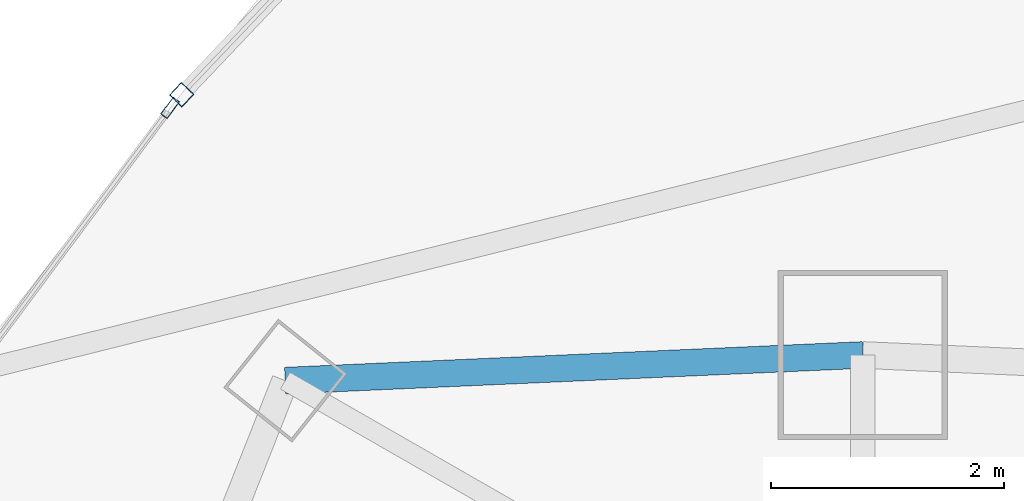
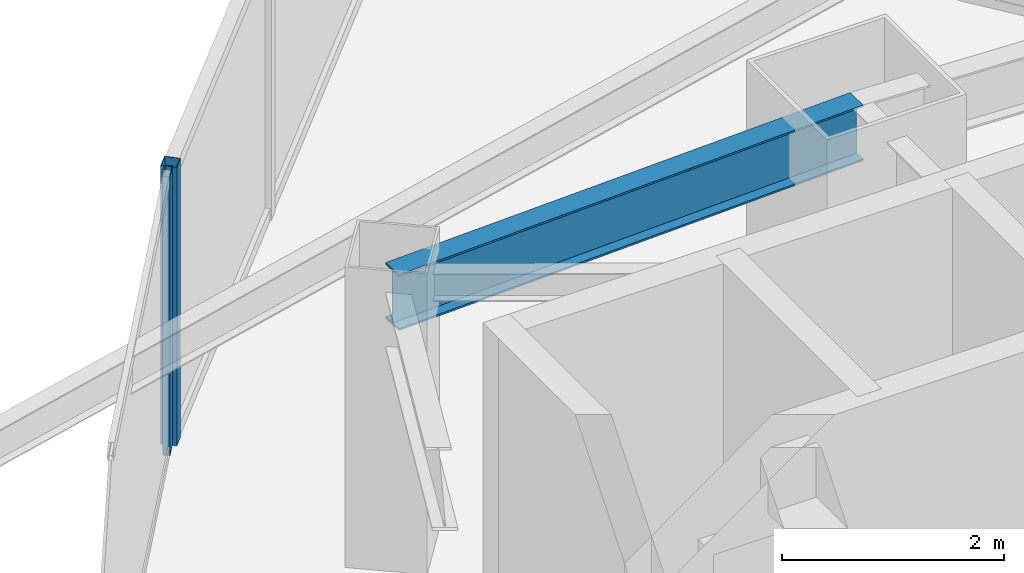
# One storey, part 21 of 31: 2 members, 1 beam, 2 elements without a shape of their own.
"""IFC4 building model written with IfcOpenShell, lengths in metres."""

from ifc_helpers import new_model, si_unit, direction, frame, origin, origin_2d, place, context, subcontext, project, spatial, hollow_rectangle, i_section, extrude, material, layer, layer_set, material_profile, profile_set, type_object, element, aggregate, save


model = new_model("IFC4")

# Units and contexts
model_context = context("Model", 3, precision=1e-05, world=origin(), true_north=direction((0.0, 1.0)))
body_context = subcontext(model_context, "Body", "Model", "MODEL_VIEW")
ifc_project = project(units=[si_unit("LENGTHUNIT", "METRE"), si_unit("AREAUNIT", "SQUARE_METRE"), si_unit("VOLUMEUNIT", "CUBIC_METRE"), si_unit("PLANEANGLEUNIT", "RADIAN"), si_unit("MASSUNIT", "GRAM", prefix="KILO")], contexts=[model_context])

# Site, building, storey
site_placement = place(None, origin())
site = spatial("IfcSite", under=ifc_project, at=site_placement, CompositionType="ELEMENT")
building_placement = place(site_placement, origin())
building = spatial("IfcBuilding", under=site, at=building_placement, Name="Orvanel Arch Residences", CompositionType="ELEMENT")
storey_placement = place(building_placement, frame((0.0, 0.0, 126.5)))
storey = spatial("IfcBuildingStorey", under=building, at=storey_placement, Name="L35", CompositionType="ELEMENT", Elevation=126.5)

# Curtain wall, member
ifc_material_1 = material(Name="Bronze-anodised aluminium AA6063-T6", Category="aluminium")
ifc_layer_1 = layer(ifc_material_1, 0.18994140625)
ifc_layer_set_1 = layer_set([ifc_layer_1], Name="Bronze-anodised aluminium AA6063-T6")
curtain_wall_type_1 = type_object("IfcCurtainWallType", Name="CW5-CRN-SYS", PredefinedType="NOTDEFINED", material=ifc_layer_set_1)
curtain_wall_1_placement = place(storey_placement, origin())
curtain_wall_1 = element("IfcCurtainWall", 1, at=curtain_wall_1_placement, inside=storey, type_object=curtain_wall_type_1, Name="L35 CW5-CRN-SYS Unitised Curtain Wall", PredefinedType="NOTDEFINED")
ifc_material_profile_1 = material_profile(ifc_material_1, hollow_rectangle(XDim=0.14990234375, YDim=0.14990234375, WallThickness=0.0048828125, at=origin_2d()), Name="ALU150x150x5")
ifc_profile_set_1 = profile_set([ifc_material_profile_1], Name="Bronze-anodised aluminium AA6063-T6")
member_type_1 = type_object("IfcMemberType", Name="MUL-150x150", PredefinedType="MULLION", material=ifc_profile_set_1)
member_1_placement = place(storey_placement, frame((27.16259765625, 43.62841796875, 0.0), z_axis=(0.0, 0.0, 1.0), x_axis=(0.725177541449, -0.688561931403, 0.0)))
member_1 = element("IfcMember", 2, at=member_1_placement, type_object=member_type_1, Name="CW-S5 mullion 3", PredefinedType="MULLION", context=body_context, shape_type="SweptSolid", body=[
    extrude(hollow_rectangle(XDim=0.14990234375, YDim=0.14990234375, WallThickness=0.0048828125, at=origin_2d()), origin(), (0.0, 0.0, 1.0), 3.06005859375),
])
aggregate(curtain_wall_1, [member_1])

ifc_layer_2 = layer(ifc_material_1, 0.179931640625)
ifc_layer_set_2 = layer_set([ifc_layer_2], Name="Bronze-anodised aluminium AA6063-T6")
curtain_wall_type_2 = type_object("IfcCurtainWallType", Name="CW3-MID-SYS", PredefinedType="NOTDEFINED", material=ifc_layer_set_2)
curtain_wall_2_placement = place(storey_placement, origin())
curtain_wall_2 = element("IfcCurtainWall", 3, at=curtain_wall_2_placement, inside=storey, type_object=curtain_wall_type_2, Name="L35 CW3-MID-SYS Unitised Curtain Wall", PredefinedType="NOTDEFINED")
ifc_material_profile_2 = material_profile(ifc_material_1, hollow_rectangle(XDim=0.070068359375, YDim=0.179931640625, WallThickness=0.00439453125, at=origin_2d()), Name="ALU180x70x4.5")
ifc_profile_set_2 = profile_set([ifc_material_profile_2], Name="Bronze-anodised aluminium AA6063-T6")
member_type_2 = type_object("IfcMemberType", Name="MUL-180x70", PredefinedType="MULLION", material=ifc_profile_set_2)
member_2_placement = place(storey_placement, frame((27.064208984375, 43.514892578125, 0.0), z_axis=(0.0, 0.0, 1.0), x_axis=(0.801951131724, -0.597389640291, 0.0)))
member_2 = element("IfcMember", 4, at=member_2_placement, type_object=member_type_2, Name="CW-S3 mullion 1", PredefinedType="MULLION", context=body_context, shape_type="SweptSolid", body=[
    extrude(hollow_rectangle(XDim=0.070068359375, YDim=0.179931640625, WallThickness=0.00439453125, at=origin_2d()), origin(), (0.0, 0.0, 1.0), 3.06005859375),
])
aggregate(curtain_wall_2, [member_2])

# Beam
ifc_material_2 = material(Name="Structural steel AS/NZS 3679.1 Grade 300 (300 MPa)", Category="steel")
ifc_material_profile_3 = material_profile(ifc_material_2, i_section(OverallWidth=0.22900390625, OverallDepth=0.612060546875, WebThickness=0.011962890625, FlangeThickness=0.01953125, at=origin_2d()), Name="610UB125")
ifc_profile_set_3 = profile_set([ifc_material_profile_3], Name="Structural steel AS/NZS 3679.1 Grade 300 (300 MPa)")
beam_type = type_object("IfcBeamType", Name="SP-610UB", PredefinedType="SPANDREL", material=ifc_profile_set_3)
beam_placement = place(storey_placement, frame((33.0, 41.39794921875, 2.75390625), z_axis=(-0.999014049296, -0.044395149614, 0.0), x_axis=(0.044395149614, -0.999014049296, 0.0)))
element("IfcBeam", 5, at=beam_placement, inside=storey, type_object=beam_type, Name="L35 Perimeter Spandrel Beam 15", PredefinedType="SPANDREL", context=body_context, shape_type="SweptSolid", body=[
    extrude(i_section(OverallWidth=0.22900390625, OverallDepth=0.612060546875, WebThickness=0.011962890625, FlangeThickness=0.01953125, at=origin_2d()), origin(), (0.0, 0.0, 1.0), 4.954833984375),
])

save(model, "model.ifc")
